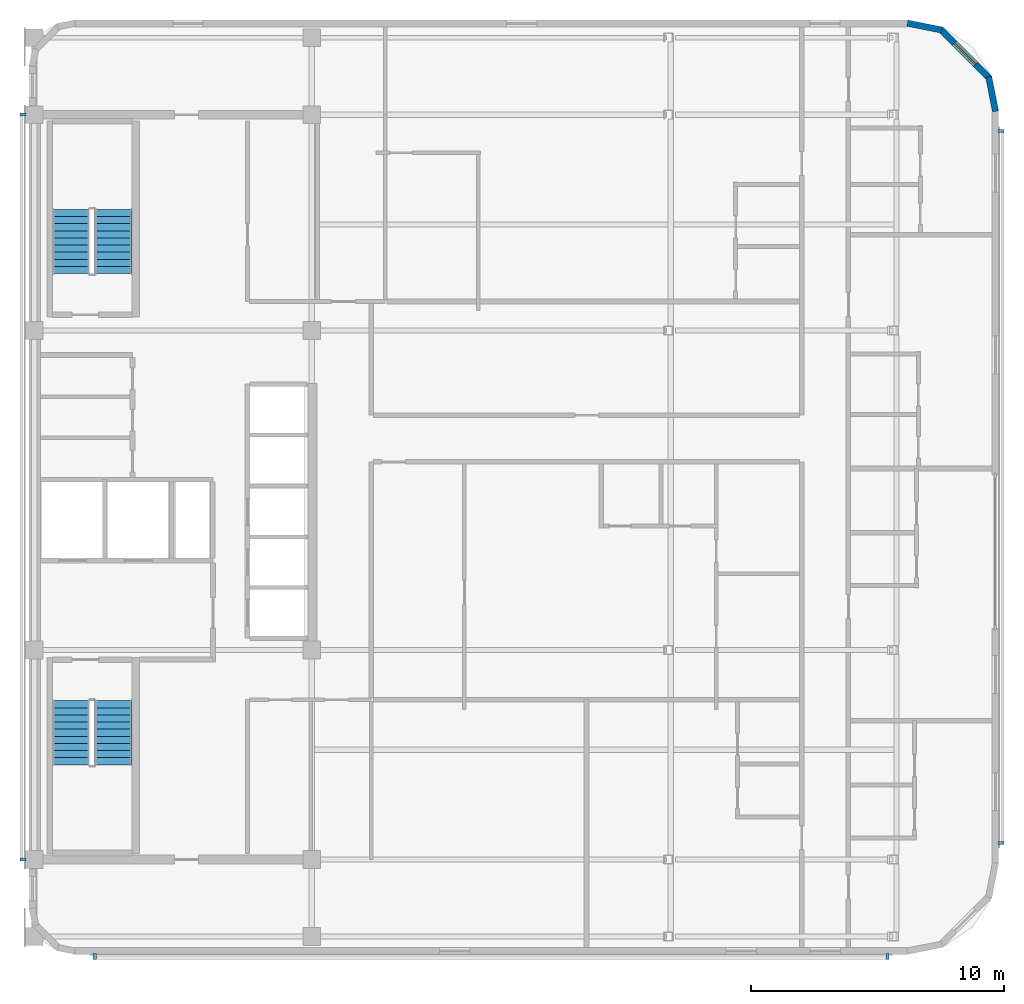
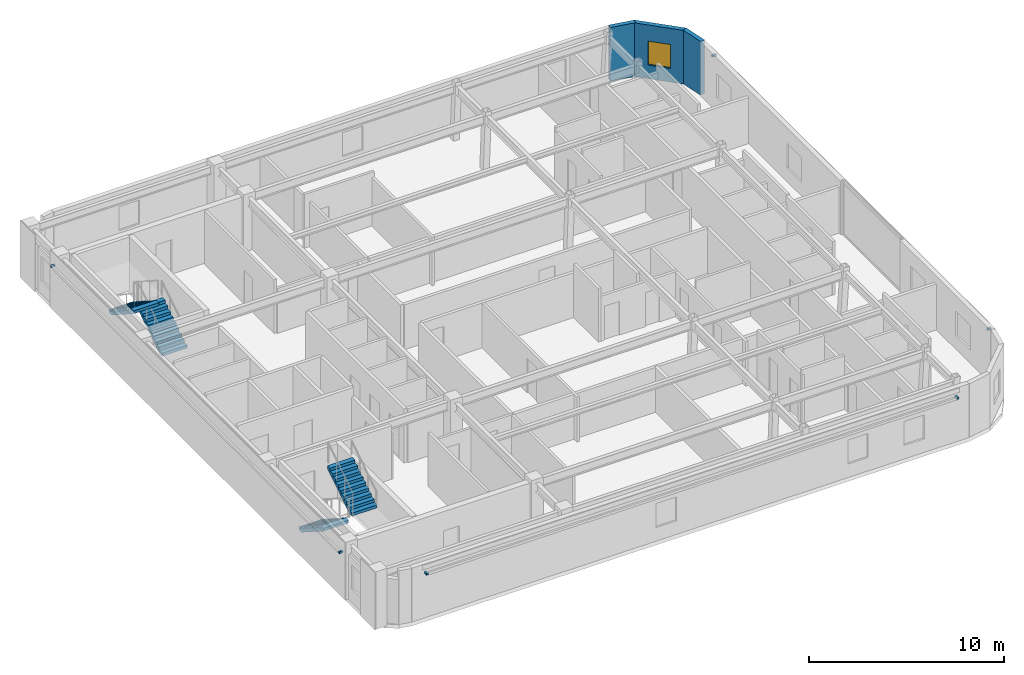
# One storey, part 7 of 10: 6 discrete accessories, 4 stair flights, 3 walls, 1 window, 1 opening, 2 elements without a shape of their own.
"""IFC4 building model written with IfcOpenShell, lengths in metres."""

from ifc_helpers import new_model, si_unit, direction, frame, frame_2d, origin, origin_2d, place, context, subcontext, project, spatial, polyline, rectangle, outline, extrude, material, layer, layer_set, type_object, element, fill, aggregate, save


model = new_model("IFC4")

# Units and contexts
model_context = context("Model", 3, precision=1e-05, world=origin(), true_north=direction((0.0, 1.0)))
body_context = subcontext(model_context, "Body", "Model", "MODEL_VIEW")
ifc_project = project(units=[si_unit("LENGTHUNIT", "METRE"), si_unit("AREAUNIT", "SQUARE_METRE"), si_unit("VOLUMEUNIT", "CUBIC_METRE"), si_unit("PLANEANGLEUNIT", "RADIAN"), si_unit("MASSUNIT", "GRAM", prefix="KILO")], contexts=[model_context])

# Site, building, storey
site_placement = place(None, origin())
site = spatial("IfcSite", under=ifc_project, at=site_placement, CompositionType="ELEMENT")
building_placement = place(site_placement, origin())
building = spatial("IfcBuilding", under=site, at=building_placement, Name="Ochreholt Gables", CompositionType="ELEMENT")
storey_placement = place(building_placement, frame((0.0, 0.0, 267.60009765625)))
storey = spatial("IfcBuildingStorey", under=building, at=storey_placement, Name="L70", CompositionType="ELEMENT", Elevation=267.60009765625)

# Wall
ifc_material_1 = material(Name="Precast concrete 40 MPa", Category="concrete")
ifc_layer = layer(ifc_material_1, 0.25, Name="Precast concrete 40 MPa")
ifc_layer_set = layer_set([ifc_layer], Name="Precast concrete 40 MPa")
wall_type = type_object("IfcWallType", Name="WALL-EXT-CNR", PredefinedType="SOLIDWALL", material=ifc_layer_set)
wall_1_placement = place(storey_placement, frame((62.27587890625, 38.883544921875, 0.0), z_axis=(0.0, 0.0, 1.0), x_axis=(-0.195135625965, 0.9807762678, 0.0)))
element("IfcWall", 1, at=wall_1_placement, inside=storey, type_object=wall_type, Name="L70 Rounded Corner Wall NE-1", PredefinedType="SOLIDWALL", context=body_context, shape_type="SweptSolid", body=[
    extrude(rectangle(XDim=1.388671875, YDim=0.25, at=frame_2d((0.6943359375, 0.0))), origin(), (0.0, 0.0, 1.0), 3.35986328125),
])

# Wall, opening, window
wall_2_placement = place(storey_placement, frame((62.031982421875, 40.195068359375, 0.0), z_axis=(0.0, 0.0, 1.0), x_axis=(-0.707106781187, 0.707106781187, 0.0)))
wall_2 = element("IfcWall", 2, at=wall_2_placement, inside=storey, type_object=wall_type, Name="L70 Rounded Corner Wall NE-2", PredefinedType="SOLIDWALL", context=body_context, shape_type="SweptSolid", body=[
    extrude(rectangle(XDim=2.7392578125, YDim=0.25, at=frame_2d((1.36962890625, 0.0))), origin(), (0.0, 0.0, 1.0), 3.35986328125),
])
opening_placement = place(wall_2_placement, frame((0.769775390625, 0.0, 0.85009765625)))
opening = element("IfcOpeningElement", 3, at=opening_placement, cuts=wall_2, Name="Opening WN-3", PredefinedType="OPENING", context=body_context, shape_type="SweptSolid", body=[
    extrude(rectangle(XDim=1.199951171875, YDim=1.5, at=frame_2d((0.60009765625, 0.75))), frame((0.0, 0.135009765625, 0.0), z_axis=(0.0, -1.0, 0.0), x_axis=(1.0, 0.0, 0.0)), (0.0, 0.0, 1.0), 0.27001953125),
])
ifc_material_2 = material(Name="Triple-Glazed Thermally Broken Aluminium Window", Category="aluminium")
window_type = type_object("IfcWindowType", Name="WIN-RES-1200", PartitioningType="SINGLE_PANEL", PredefinedType="WINDOW", material=ifc_material_2)
window_placement = place(opening_placement, origin())
window = element("IfcWindow", 4, at=window_placement, inside=storey, type_object=window_type, Name="L70 Corner Bedroom Window NE", OverallHeight=1.5, OverallWidth=1.199951171875, PartitioningType="SINGLE_PANEL", PredefinedType="WINDOW", context=body_context, shape_type="SweptSolid", body=[
    extrude(rectangle(XDim=1.199951171875, YDim=1.5, at=frame_2d((0.60009765625, 0.75))), frame((0.0, 0.030029296875, 0.0), z_axis=(0.0, -1.0, 0.0), x_axis=(1.0, 0.0, 0.0)), (0.0, 0.0, 1.0), 0.06005859375),
])
fill(opening, window)

# Wall
wall_3_placement = place(storey_placement, frame((60.1455078125, 42.10498046875, 0.0), z_axis=(0.0, 0.0, 1.0), x_axis=(-0.980809899341, 0.19496651342, 0.0)))
element("IfcWall", 5, at=wall_3_placement, inside=storey, type_object=wall_type, Name="L70 Rounded Corner Wall NE-3", PredefinedType="SOLIDWALL", context=body_context, shape_type="SweptSolid", body=[
    extrude(rectangle(XDim=1.388671875, YDim=0.25, at=frame_2d((0.6943359375, 0.0))), origin(), (0.0, 0.0, 1.0), 3.35986328125),
])

# Stair, stair flights
ifc_material_3 = material(Name="Concrete 40 MPa", Category="concrete")
stair_type_1 = type_object("IfcStairType", Name="STAIR-CORE-ST-1", PredefinedType="HALF_TURN_STAIR", material=ifc_material_3)
stair_1_placement = place(storey_placement, origin())
stair_1 = element("IfcStair", 6, at=stair_1_placement, inside=storey, type_object=stair_type_1, Name="L70 Core Exit Stair 1", PredefinedType="HALF_TURN_STAIR")
stair_flight_type = type_object("IfcStairFlightType", Name="FLIGHT-ST-1480-1800", PredefinedType="STRAIGHT", material=ifc_material_3)
stair_flight_1_placement = place(storey_placement, frame((25.659912109375, 15.5400390625, 0.0), z_axis=(0.0, 0.0, 1.0), x_axis=(0.0, -1.0, 0.0)))
stair_flight_1 = element("IfcStairFlight", 7, at=stair_flight_1_placement, type_object=stair_flight_type, Name="ST-1 flight 1", NumberOfRisers=10, NumberOfTreads=9, PredefinedType="STRAIGHT", RiserHeight=0.18, TreadLength=0.282, context=body_context, shape_type="SweptSolid", body=[
    extrude(outline(polyline([(0.0, 0.0), (0.0, 0.179931640625), (0.281982421875, 0.179931640625), (0.281982421875, 0.360107421875), (0.56396484375, 0.360107421875), (0.56396484375, 0.5400390625), (0.845947265625, 0.5400390625), (0.845947265625, 0.719970703125), (1.1279296875, 0.719970703125), (1.1279296875, 0.89990234375), (1.409912109375, 0.89990234375), (1.409912109375, 1.080078125), (1.69189453125, 1.080078125), (1.69189453125, 1.260009765625), (1.97412109375, 1.260009765625), (1.97412109375, 1.43994140625), (2.256103515625, 1.43994140625), (2.256103515625, 1.6201171875), (2.5380859375, 1.6201171875), (2.5380859375, 1.800048828125), (2.5380859375, 1.442138671875), (0.278564453125, 0.0), (0.0, 0.0)])), frame((0.0, 0.739990234375, 0.0), z_axis=(0.0, -1.0, 0.0), x_axis=(1.0, 0.0, 0.0)), (0.0, 0.0, 1.0), 1.47998046875),
])
stair_flight_2_placement = place(storey_placement, frame((27.340087890625, 13.001953125, 1.7998046875), z_axis=(0.0, 0.0, 1.0), x_axis=(0.0, 1.0, 0.0)))
stair_flight_2 = element("IfcStairFlight", 8, at=stair_flight_2_placement, type_object=stair_flight_type, Name="ST-1 flight 2", NumberOfRisers=10, NumberOfTreads=9, PredefinedType="STRAIGHT", RiserHeight=0.18, TreadLength=0.282, context=body_context, shape_type="SweptSolid", body=[
    extrude(outline(polyline([(0.0, 0.0), (0.0, 0.179931640625), (0.281982421875, 0.179931640625), (0.281982421875, 0.360107421875), (0.56396484375, 0.360107421875), (0.56396484375, 0.5400390625), (0.845947265625, 0.5400390625), (0.845947265625, 0.719970703125), (1.1279296875, 0.719970703125), (1.1279296875, 0.89990234375), (1.409912109375, 0.89990234375), (1.409912109375, 1.080078125), (1.69189453125, 1.080078125), (1.69189453125, 1.260009765625), (1.97412109375, 1.260009765625), (1.97412109375, 1.43994140625), (2.256103515625, 1.43994140625), (2.256103515625, 1.6201171875), (2.5380859375, 1.6201171875), (2.5380859375, 1.800048828125), (2.5380859375, 1.442138671875), (0.278564453125, 0.0), (0.0, 0.0)])), frame((0.0, 0.739990234375, 0.0), z_axis=(0.0, -1.0, 0.0), x_axis=(1.0, 0.0, 0.0)), (0.0, 0.0, 1.0), 1.47998046875),
])
aggregate(stair_1, [stair_flight_1, stair_flight_2])

stair_type_2 = type_object("IfcStairType", Name="STAIR-CORE-ST-2", PredefinedType="HALF_TURN_STAIR", material=ifc_material_3)
stair_2_placement = place(storey_placement, origin())
stair_2 = element("IfcStair", 9, at=stair_2_placement, inside=storey, type_object=stair_type_2, Name="L70 Core Exit Stair 2", PredefinedType="HALF_TURN_STAIR")
stair_flight_3_placement = place(storey_placement, frame((27.340087890625, 32.4599609375, 0.0), z_axis=(0.0, 0.0, 1.0), x_axis=(0.0, 1.0, 0.0)))
stair_flight_3 = element("IfcStairFlight", 10, at=stair_flight_3_placement, type_object=stair_flight_type, Name="ST-2 flight 1", NumberOfRisers=10, NumberOfTreads=9, PredefinedType="STRAIGHT", RiserHeight=0.18, TreadLength=0.282, context=body_context, shape_type="SweptSolid", body=[
    extrude(outline(polyline([(0.0, 0.0), (0.0, 0.179931640625), (0.281982421875, 0.179931640625), (0.281982421875, 0.360107421875), (0.56396484375, 0.360107421875), (0.56396484375, 0.5400390625), (0.845947265625, 0.5400390625), (0.845947265625, 0.719970703125), (1.1279296875, 0.719970703125), (1.1279296875, 0.89990234375), (1.409912109375, 0.89990234375), (1.409912109375, 1.080078125), (1.69189453125, 1.080078125), (1.69189453125, 1.260009765625), (1.97412109375, 1.260009765625), (1.97412109375, 1.43994140625), (2.256103515625, 1.43994140625), (2.256103515625, 1.6201171875), (2.5380859375, 1.6201171875), (2.5380859375, 1.800048828125), (2.5380859375, 1.442138671875), (0.278564453125, 0.0), (0.0, 0.0)])), frame((0.0, 0.739990234375, 0.0), z_axis=(0.0, -1.0, 0.0), x_axis=(1.0, 0.0, 0.0)), (0.0, 0.0, 1.0), 1.47998046875),
])
stair_flight_4_placement = place(storey_placement, frame((25.659912109375, 34.998046875, 1.7998046875), z_axis=(0.0, 0.0, 1.0), x_axis=(0.0, -1.0, 0.0)))
stair_flight_4 = element("IfcStairFlight", 11, at=stair_flight_4_placement, type_object=stair_flight_type, Name="ST-2 flight 2", NumberOfRisers=10, NumberOfTreads=9, PredefinedType="STRAIGHT", RiserHeight=0.18, TreadLength=0.282, context=body_context, shape_type="SweptSolid", body=[
    extrude(outline(polyline([(0.0, 0.0), (0.0, 0.179931640625), (0.281982421875, 0.179931640625), (0.281982421875, 0.360107421875), (0.56396484375, 0.360107421875), (0.56396484375, 0.5400390625), (0.845947265625, 0.5400390625), (0.845947265625, 0.719970703125), (1.1279296875, 0.719970703125), (1.1279296875, 0.89990234375), (1.409912109375, 0.89990234375), (1.409912109375, 1.080078125), (1.69189453125, 1.080078125), (1.69189453125, 1.260009765625), (1.97412109375, 1.260009765625), (1.97412109375, 1.43994140625), (2.256103515625, 1.43994140625), (2.256103515625, 1.6201171875), (2.5380859375, 1.6201171875), (2.5380859375, 1.800048828125), (2.5380859375, 1.442138671875), (0.278564453125, 0.0), (0.0, 0.0)])), frame((0.0, 0.739990234375, 0.0), z_axis=(0.0, -1.0, 0.0), x_axis=(1.0, 0.0, 0.0)), (0.0, 0.0, 1.0), 1.47998046875),
])
aggregate(stair_2, [stair_flight_3, stair_flight_4])

# Discrete accessories
ifc_material_4 = material(Name="Extruded Aluminium Standoff Bracket", Category="aluminium")
discrete_accessory_type = type_object("IfcDiscreteAccessoryType", Name="ACC-BRACKET-AL", PredefinedType="BRACKET", material=ifc_material_4)
for number, where, z_axis, x_axis, name in (
    (12, (26.60009765625, 5.409912109375, 2.77978515625), (0.0, 0.0, 1.0), (1.0, 0.0, 0.0), "L70 Baguette Standoff Bracket S1-1"),
    (13, (58.0, 5.409912109375, 2.77978515625), (0.0, 0.0, 1.0), (1.0, 0.0, 0.0), "L70 Baguette Standoff Bracket S1-2"),
    (14, (62.489990234375, 9.89990234375, 2.77978515625), (0.0, 0.0, 1.0), (0.0, 1.0, 0.0), "L70 Baguette Standoff Bracket E1-1"),
    (15, (62.489990234375, 38.10009765625, 2.77978515625), (0.0, 0.0, 1.0), (0.0, 1.0, 0.0), "L70 Baguette Standoff Bracket E1-2"),
    (16, (23.760009765625, 38.75, 2.77978515625), (0.0, 0.0, 1.0), (0.0, -1.0, 0.0), "L70 Baguette Standoff Bracket W1-1"),
    (17, (23.760009765625, 9.25, 2.77978515625), (0.0, 0.0, 1.0), (0.0, -1.0, 0.0), "L70 Baguette Standoff Bracket W1-2"),
):
    element("IfcDiscreteAccessory", number, at=place(storey_placement, frame(where, z_axis=z_axis, x_axis=x_axis)), inside=storey, type_object=discrete_accessory_type, Name=name, PredefinedType="BRACKET", context=body_context, shape_type="SweptSolid", body=[
        extrude(rectangle(XDim=0.1201171875, YDim=0.239990234375, at=origin_2d()), origin(), (0.0, 0.0, 1.0), 0.1201171875),
    ])

save(model, "model.ifc")
